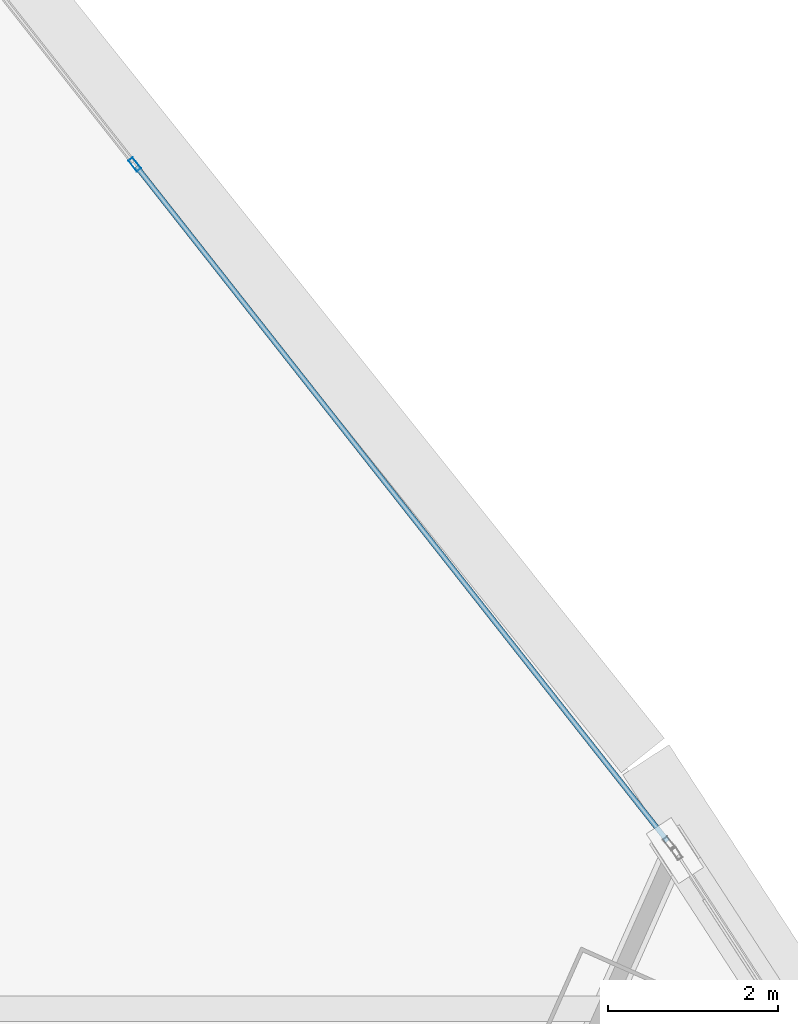
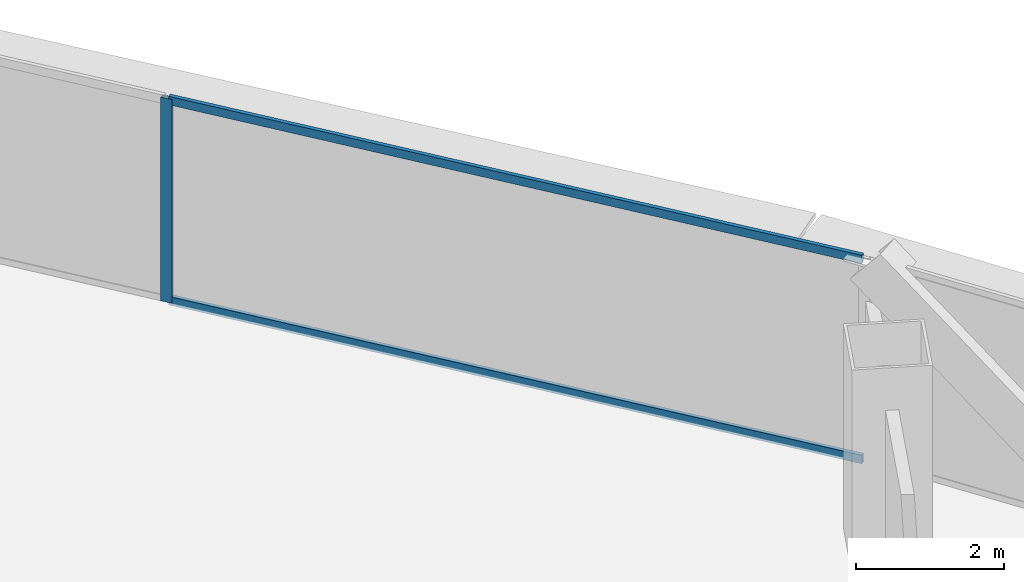
# One storey, part 26 of 38: 3 members, 1 element without a shape of its own.
"""IFC4 building model written with IfcOpenShell, lengths in metres."""

import ifcopenshell
import ifcopenshell.guid

model = None  # the IFC model being written
_history = None  # IfcOwnerHistory: only IFC2X3 demands one
_inside = {}  # id of a spatial element -> (the spatial element, [elements in it])
_under = {}  # id of a project, library or spatial element -> (it, [spatial elements below it])
_declared = {}  # id of a project -> (the project, [libraries it declares])
_typed = {}  # id of a type object -> (the type object, [elements of that type])
_made_of = {}  # id of a material, layer set ... -> (it, [elements and type objects made of it])


def new_model(schema):
    """Start an empty IFC model of exactly this schema.

    Asked for "IFC4X3", IfcOpenShell would pick the latest addendum, in which some entities
    have other attributes; the version numbers below select the first issue.
    IFC2X3 requires an IfcOwnerHistory on every rooted entity: one is made here for all.
    """
    global model, _history
    if schema == "IFC4X3":
        model = ifcopenshell.file(schema_version=(4, 3, 0, 0))
    else:
        model = ifcopenshell.file(schema=schema)
    _inside.clear()
    _under.clear()
    _declared.clear()
    _typed.clear()
    _made_of.clear()
    _history = None
    if model.schema == "IFC2X3":
        org = make("IfcOrganization", Name="unknown")
        user = make(
            "IfcPersonAndOrganization",
            ThePerson=make("IfcPerson", FamilyName="unknown"),
            TheOrganization=org,
        )
        app = make(
            "IfcApplication",
            ApplicationDeveloper=org,
            Version="unknown",
            ApplicationFullName="unknown",
            ApplicationIdentifier="unknown",
        )
        _history = make(
            "IfcOwnerHistory",
            OwningUser=user,
            OwningApplication=app,
            ChangeAction="ADDED",
            CreationDate=0,
        )
    return model


def make(cls, **values):
    """One entity of the class cls with the attributes given. An attribute that is None is left unset."""
    return model.create_entity(
        cls, **{name: value for name, value in values.items() if value is not None}
    )


def rooted(cls, **values):
    """An entity with a GlobalId (a new one), such as an element, a storey or a relation."""
    return make(cls, GlobalId=ifcopenshell.guid.new(), OwnerHistory=_history, **values)


def si_unit(unit_type, name, prefix=None):
    """IfcSIUnit, for example si_unit("LENGTHUNIT", "METRE", prefix="MILLI")."""
    return make("IfcSIUnit", UnitType=unit_type, Prefix=prefix, Name=name)


def assignment(units):
    """IfcUnitAssignment: the units of a project."""
    return None if units is None else make("IfcUnitAssignment", Units=units)


def point(xyz):
    """IfcCartesianPoint."""
    return None if xyz is None else make("IfcCartesianPoint", Coordinates=xyz)


def direction(xyz):
    """IfcDirection."""
    return None if xyz is None else make("IfcDirection", DirectionRatios=xyz)


def frame(location, z_axis=None, x_axis=None):
    """IfcAxis2Placement3D, a coordinate frame: its origin and axes. An axis left out is left unset."""
    return make(
        "IfcAxis2Placement3D",
        Location=point(location),
        Axis=direction(z_axis),
        RefDirection=direction(x_axis),
    )


def frame_2d(location, x_axis=None):
    """IfcAxis2Placement2D, a coordinate frame in the plane: its origin and x axis."""
    return make(
        "IfcAxis2Placement2D", Location=point(location), RefDirection=direction(x_axis)
    )


def origin():
    """The frame at (0, 0, 0) with its axes left unset."""
    return frame((0.0, 0.0, 0.0))


def origin_2d():
    """The frame at (0, 0) in the plane with its x axis left unset."""
    return frame_2d((0.0, 0.0))


def place(relative_to, where):
    """IfcLocalPlacement: puts the frame where relative to a parent placement (None: the world)."""
    return make(
        "IfcLocalPlacement", PlacementRelTo=relative_to, RelativePlacement=where
    )


def context(
    kind, dimensions, precision=None, world=None, true_north=None, identifier=None
):
    """IfcGeometricRepresentationContext, for example the 3D "Model" context."""
    return make(
        "IfcGeometricRepresentationContext",
        ContextIdentifier=identifier,
        ContextType=kind,
        CoordinateSpaceDimension=dimensions,
        Precision=precision,
        WorldCoordinateSystem=world,
        TrueNorth=true_north,
    )


def subcontext(parent, identifier, kind, view, scale=None):
    """IfcGeometricRepresentationSubContext, for example "Body" below "Model"."""
    return make(
        "IfcGeometricRepresentationSubContext",
        ContextIdentifier=identifier,
        ContextType=kind,
        ParentContext=parent,
        TargetScale=scale,
        TargetView=view,
    )


def project(units=None, contexts=None):
    """IfcProject with its units and contexts."""
    return rooted(
        "IfcProject",
        Name="project",
        RepresentationContexts=contexts,
        UnitsInContext=assignment(units),
    )


def spatial(cls, under=None, at=None, **own):
    """A site, building, storey or space (cls), placed at a placement, below another one or the project."""
    s = rooted(cls, ObjectPlacement=at, **own)
    if under is not None:
        _under.setdefault(under.id(), (under, []))[1].append(s)
    return s


def profile(cls, at=None, kind="AREA", **sizes):
    """A parametric profile (cls). Its sizes go by their IFC names, for example OverallWidth=200.0."""
    return make(cls, ProfileType=kind, Position=at, **sizes)


def hollow_rectangle(**sizes):
    """IfcRectangleHollowProfileDef."""
    return profile("IfcRectangleHollowProfileDef", **sizes)


def extrude(swept, where, along, depth):
    """IfcExtrudedAreaSolid: the profile swept, set in the frame where, extruded along a direction by depth."""
    return make(
        "IfcExtrudedAreaSolid",
        SweptArea=swept,
        Position=where,
        ExtrudedDirection=direction(along),
        Depth=depth,
    )


def shape(context_of_items, identifier, shape_type, items):
    """IfcShapeRepresentation: the items that make up one representation, for example the "Body"."""
    return make(
        "IfcShapeRepresentation",
        ContextOfItems=context_of_items,
        RepresentationIdentifier=identifier,
        RepresentationType=shape_type,
        Items=items,
    )


def source(mapping_origin, context_of_items, identifier, shape_type, items):
    """IfcRepresentationMap: a shape defined once, which mapped items show again and again."""
    return make(
        "IfcRepresentationMap",
        MappingOrigin=mapping_origin,
        MappedRepresentation=shape(context_of_items, identifier, shape_type, items),
    )


def transform(
    local_origin,
    x_axis=None,
    y_axis=None,
    z_axis=None,
    scale=None,
    scale2=None,
    scale3=None,
    uniform=True,
):
    """IfcCartesianTransformationOperator3D, or its non-uniform kind. x_axis, y_axis, z_axis: its Axis1, 2, 3."""
    if uniform:
        return make(
            "IfcCartesianTransformationOperator3D",
            Axis1=direction(x_axis),
            Axis2=direction(y_axis),
            LocalOrigin=point(local_origin),
            Scale=scale,
            Axis3=direction(z_axis),
        )
    return make(
        "IfcCartesianTransformationOperator3DnonUniform",
        Axis1=direction(x_axis),
        Axis2=direction(y_axis),
        LocalOrigin=point(local_origin),
        Scale=scale,
        Axis3=direction(z_axis),
        Scale2=scale2,
        Scale3=scale3,
    )


def mapped(mapping_source, mapping_target):
    """IfcMappedItem: shows the shape of a source again, moved by a transform."""
    return make(
        "IfcMappedItem", MappingSource=mapping_source, MappingTarget=mapping_target
    )


def material(Name=None, Category=None):
    """IfcMaterial."""
    return make("IfcMaterial", Name=Name, Category=Category)


def layer(
    of_material, thickness, ventilated=None, Name=None, Category=None, Priority=None
):
    """IfcMaterialLayer: one layer of a wall or slab, of a material (None: an air gap)."""
    return make(
        "IfcMaterialLayer",
        Material=of_material,
        LayerThickness=thickness,
        IsVentilated=ventilated,
        Name=Name,
        Category=Category,
        Priority=Priority,
    )


def layer_set(layers, Name=None):
    """IfcMaterialLayerSet."""
    return make("IfcMaterialLayerSet", MaterialLayers=layers, LayerSetName=Name)


def material_profile(
    of_material, cross_section, Name=None, Category=None, Priority=None
):
    """IfcMaterialProfile: a cross section and its material."""
    return make(
        "IfcMaterialProfile",
        Name=Name,
        Material=of_material,
        Profile=cross_section,
        Priority=Priority,
        Category=Category,
    )


def profile_set(profiles, Name=None, composite=None):
    """IfcMaterialProfileSet."""
    return make(
        "IfcMaterialProfileSet",
        Name=Name,
        MaterialProfiles=profiles,
        CompositeProfile=composite,
    )


def made_of(thing, what):
    """Note that an element or type object is made of a material, layer set ...; save() writes the relation."""
    if what is not None:
        _made_of.setdefault(what.id(), (what, []))[1].append(thing)
    return thing


def type_object(cls, material=None, **own):
    """A type object (cls), such as IfcWallType, which elements share."""
    return made_of(rooted(cls, **own), material)


def element(
    cls,
    number,
    at=None,
    inside=None,
    cuts=None,
    type_object=None,
    material=None,
    context=None,
    identifier="Body",
    shape_type=None,
    held_by="IfcProductDefinitionShape",
    body=None,
    shapes=None,
    **own,
):
    """One element of the class cls, such as IfcWall. Its Tag is "e" and its number.

    at: its placement. inside: the storey or other place that contains it. cuts: it is an
    opening in that element (IfcRelVoidsElement). A single representation is given by context,
    identifier, shape_type and body (its items); several are given by shapes. held_by: the class
    of the entity that holds the representations. save() writes the other relations.
    """
    e = rooted(cls, Tag="e%d" % number, ObjectPlacement=at, **own)
    if body is not None:
        shapes = [shape(context, identifier, shape_type, body)]
    if shapes is not None:
        e.Representation = make(held_by, Representations=shapes)
    if inside is not None:
        _inside.setdefault(inside.id(), (inside, []))[1].append(e)
    if cuts is not None:
        rooted(
            "IfcRelVoidsElement", RelatingBuildingElement=cuts, RelatedOpeningElement=e
        )
    if type_object is not None:
        _typed.setdefault(type_object.id(), (type_object, []))[1].append(e)
    return made_of(e, material)


def aggregate(whole, parts):
    """IfcRelAggregates: a whole, such as a stair, and the parts it consists of."""
    return rooted("IfcRelAggregates", RelatingObject=whole, RelatedObjects=parts)


def save(model, path):
    """Write the relations noted so far, then the file.

    IfcRelAggregates (storeys below a building ...), IfcRelContainedInSpatialStructure (elements
    in a storey), IfcRelDefinesByType, IfcRelAssociatesMaterial and IfcRelDeclares: one each for
    every whole, place, type object, material and project.
    """
    for whole, parts in _under.values():
        aggregate(whole, parts)
    for where, things in _inside.values():
        rooted(
            "IfcRelContainedInSpatialStructure",
            RelatedElements=things,
            RelatingStructure=where,
        )
    for kind, things in _typed.values():
        rooted("IfcRelDefinesByType", RelatedObjects=things, RelatingType=kind)
    for what, things in _made_of.values():
        rooted("IfcRelAssociatesMaterial", RelatedObjects=things, RelatingMaterial=what)
    for by, libraries in _declared.values():
        rooted("IfcRelDeclares", RelatingContext=by, RelatedDefinitions=libraries)
    model.write(path)


model = new_model("IFC4")

# Units and contexts
model_context = context("Model", 3, precision=1e-05, world=origin(), true_north=direction((0.0, 1.0)))
body_context = subcontext(model_context, "Body", "Model", "MODEL_VIEW")
ifc_project = project(units=[si_unit("LENGTHUNIT", "METRE"), si_unit("AREAUNIT", "SQUARE_METRE"), si_unit("VOLUMEUNIT", "CUBIC_METRE"), si_unit("PLANEANGLEUNIT", "RADIAN"), si_unit("MASSUNIT", "GRAM", prefix="KILO"), si_unit("THERMODYNAMICTEMPERATUREUNIT", "KELVIN"), si_unit("POWERUNIT", "WATT")], contexts=[model_context])

# Site, building, storey
site_placement = place(None, origin())
site = spatial("IfcSite", under=ifc_project, at=site_placement, CompositionType="ELEMENT")
building_placement = place(site_placement, origin())
building = spatial("IfcBuilding", under=site, at=building_placement, Name="Yunzhuo Pagoda Commons", CompositionType="ELEMENT")
storey_placement = place(building_placement, frame((0.0, 0.0, 30.39990234375)))
storey = spatial("IfcBuildingStorey", under=building, at=storey_placement, Name="L07", CompositionType="ELEMENT", Elevation=30.39990234375)

# Curtain wall, members
ifc_material = material(Name="Anodized aluminium 6063-T6", Category="aluminium")
ifc_layer = layer(ifc_material, 0.1650390625)
ifc_layer_set = layer_set([ifc_layer], Name="Anodized aluminium 6063-T6")
curtain_wall_type = type_object("IfcCurtainWallType", Name="CW-LOW Low-Zone Ribbon Curtain Wall", PredefinedType="NOTDEFINED", material=ifc_layer_set)
curtain_wall_placement = place(storey_placement, origin())
curtain_wall = element("IfcCurtainWall", 1, at=curtain_wall_placement, inside=storey, type_object=curtain_wall_type, Name="L07 curtain wall CW-L07-F2B5", PredefinedType="NOTDEFINED")
ifc_material_profile_1 = material_profile(ifc_material, hollow_rectangle(XDim=0.06494140625, YDim=0.1650390625, WallThickness=0.00390625, at=origin_2d()), Name="Anodized aluminium 6063-T6")
ifc_profile_set_1 = profile_set([ifc_material_profile_1], Name="Anodized aluminium 6063-T6")
member_type_1 = type_object("IfcMemberType", Name="CW-LOW-M Mullion RHS 165x65x4", PredefinedType="MULLION", material=ifc_profile_set_1)
shared_shape_1 = source(origin(), body_context, "Body", "SweptSolid", [
    extrude(hollow_rectangle(XDim=0.06494140625, YDim=0.1650390625, WallThickness=0.00390625, at=origin_2d()), origin(), (0.0, 0.0, 1.0), 3.370361328125),
])
member_1_placement = place(storey_placement, frame((59.07568359375, 80.95458984375, 0.0), z_axis=(0.0, 0.0, 1.0), x_axis=(-0.785799632369, -0.618481153932, 0.0)))
member_1 = element("IfcMember", 2, at=member_1_placement, type_object=member_type_1, Name="CW mullion 2", PredefinedType="MULLION", context=body_context, shape_type="MappedRepresentation", body=[
    mapped(shared_shape_1, transform((0.0, 0.0, 0.0), scale=1.0)),
])
ifc_material_profile_2 = material_profile(ifc_material, hollow_rectangle(XDim=0.06005859375, YDim=0.139892578125, WallThickness=0.00341796875, at=origin_2d()), Name="Anodized aluminium 6063-T6")
ifc_profile_set_2 = profile_set([ifc_material_profile_2], Name="Anodized aluminium 6063-T6")
member_type_2 = type_object("IfcMemberType", Name="CW-LOW-T Transom RHS 140x60x3.5", PredefinedType="USERDEFINED", material=ifc_profile_set_2)
shared_shape_2 = source(origin(), body_context, "Body", "SweptSolid", [
    extrude(hollow_rectangle(XDim=0.06005859375, YDim=0.139892578125, WallThickness=0.00341796875, at=origin_2d()), origin(), (0.0, 0.0, 1.0), 10.116455078125),
])
member_2_placement = place(storey_placement, frame((65.352783203125, 72.9794921875, 0.030029296875), z_axis=(-0.618483204392, 0.785798018504, 0.0), x_axis=(-0.785798018504, -0.618483204392, 0.0)))
member_2 = element("IfcMember", 3, at=member_2_placement, type_object=member_type_2, Name="CW transom 1.1", ObjectType="TRANSOM", PredefinedType="USERDEFINED", context=body_context, shape_type="MappedRepresentation", body=[
    mapped(shared_shape_2, transform((0.0, 0.0, 0.0), scale=1.0)),
])
member_3_placement = place(storey_placement, frame((65.352783203125, 72.9794921875, 3.340087890625), z_axis=(-0.618483204392, 0.785798018504, 0.0), x_axis=(-0.785798018504, -0.618483204392, 0.0)))
member_3 = element("IfcMember", 4, at=member_3_placement, type_object=member_type_2, Name="CW transom 1.2", ObjectType="TRANSOM", PredefinedType="USERDEFINED", context=body_context, shape_type="MappedRepresentation", body=[
    mapped(shared_shape_2, transform((0.0, 0.0, 0.0), scale=1.0)),
])
aggregate(curtain_wall, [member_1, member_2, member_3])

save(model, "model.ifc")
